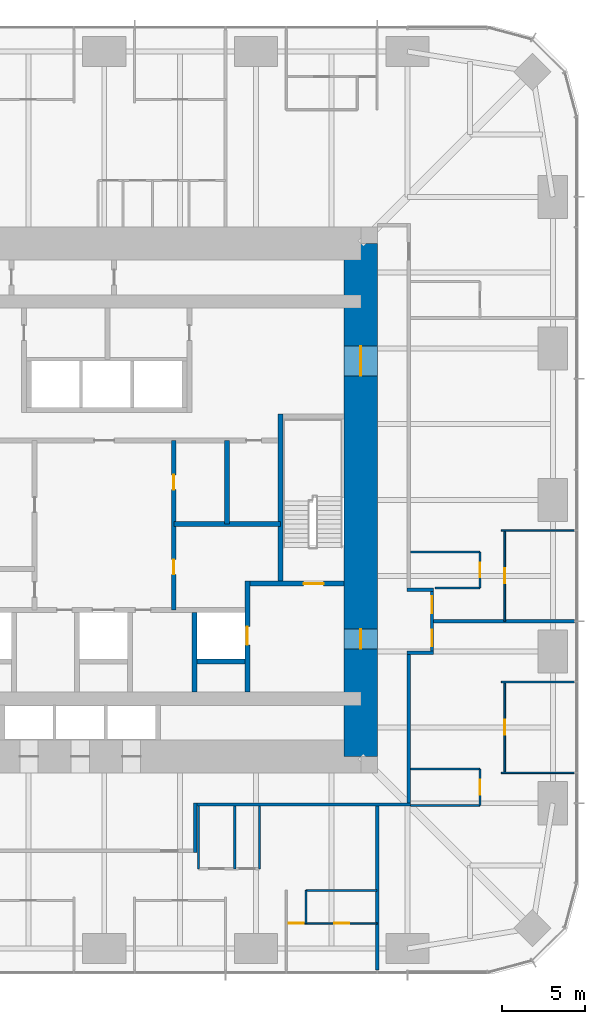
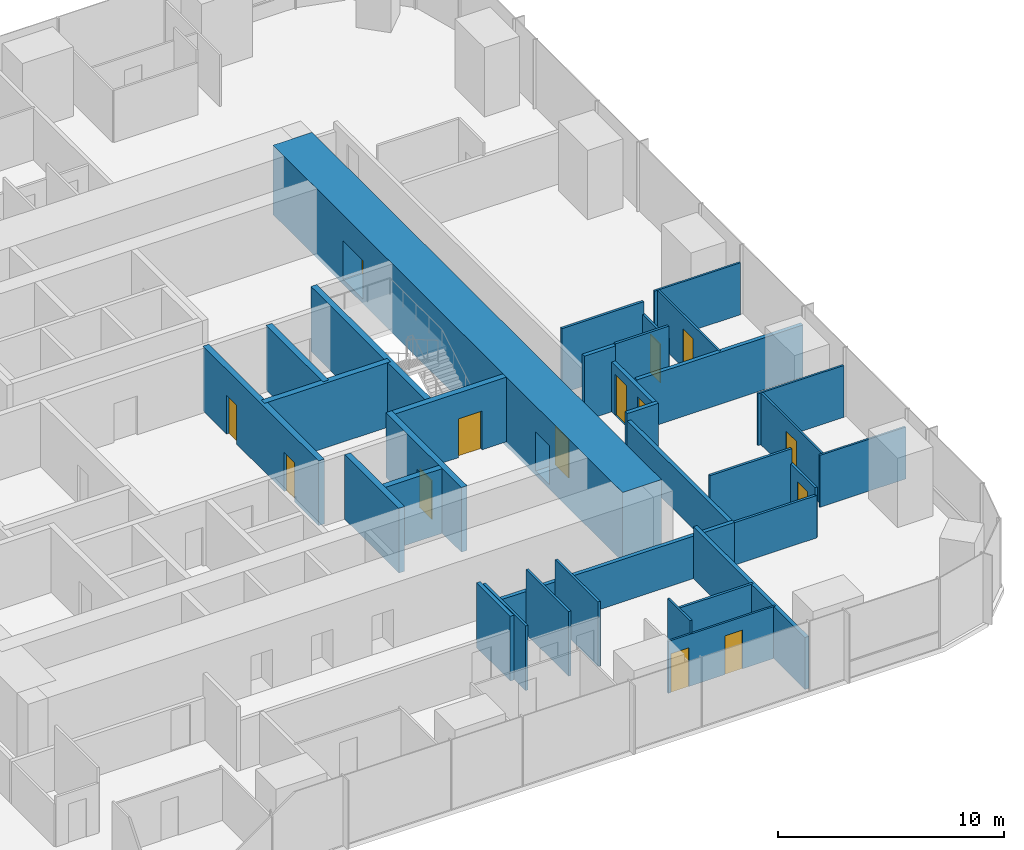
# One storey, part 10 of 13: 34 walls, 14 doors, 14 openings.
"""IFC4 building model written with IfcOpenShell, lengths in metres."""

from ifc_helpers import new_model, si_unit, direction, frame, frame_2d, origin, place, context, subcontext, project, spatial, rectangle, extrude, material, layer, layer_set, type_object, element, fill, save


model = new_model("IFC4")

# Units and contexts
model_context = context("Model", 3, precision=1e-05, world=origin(), true_north=direction((0.0, 1.0)))
body_context = subcontext(model_context, "Body", "Model", "MODEL_VIEW")
ifc_project = project(units=[si_unit("LENGTHUNIT", "METRE"), si_unit("AREAUNIT", "SQUARE_METRE"), si_unit("VOLUMEUNIT", "CUBIC_METRE"), si_unit("PLANEANGLEUNIT", "RADIAN"), si_unit("MASSUNIT", "GRAM", prefix="KILO")], contexts=[model_context])

# Site, building, storey
site_placement = place(None, origin())
site = spatial("IfcSite", under=ifc_project, at=site_placement, CompositionType="ELEMENT")
building_placement = place(site_placement, origin())
building = spatial("IfcBuilding", under=site, at=building_placement, Name="Khuree Lantern Residences", CompositionType="ELEMENT")
storey_placement = place(building_placement, frame((0.0, 0.0, 152.25)))
storey = spatial("IfcBuildingStorey", under=building, at=storey_placement, Name="L38", CompositionType="ELEMENT", Elevation=152.25)

# Wall, opening, door
ifc_material_1 = material(Name="Moisture-resistant gypsum board on steel studs", Category="steel")
ifc_layer_1 = layer(ifc_material_1, 0.125)
ifc_layer_set_1 = layer_set([ifc_layer_1], Name="BATHROOM WALL BTW125")
wall_type_1 = type_object("IfcWallType", Name="BATHROOM WALL BTW125", PredefinedType="PARTITIONING", material=ifc_layer_set_1)
wall_1_placement = place(storey_placement, frame((22.699951171875, -5.327880859375, 0.0), z_axis=(0.0, 0.0, 1.0), x_axis=(0.0, 1.0, 0.0)))
wall_1 = element("IfcWall", 1, at=wall_1_placement, inside=storey, type_object=wall_type_1, Name="L38 BATHROOM WALL 01", PredefinedType="PARTITIONING", context=body_context, shape_type="SweptSolid", body=[
    extrude(rectangle(XDim=2.199951171875, YDim=0.125, at=frame_2d((1.10009765625, 0.0))), origin(), (0.0, 0.0, 1.0), 2.81005859375),
])
opening_1_placement = place(wall_1_placement, frame((0.64990234375, 0.0, 0.0)))
opening_1 = element("IfcOpeningElement", 2, at=opening_1_placement, cuts=wall_1, Name="Opening 38-027", PredefinedType="OPENING", context=body_context, shape_type="SweptSolid", body=[
    extrude(rectangle(XDim=0.89990234375, YDim=2.10009765625, at=frame_2d((0.449951171875, 1.050048828125))), frame((0.0, 0.072509765625, 0.0), z_axis=(0.0, -1.0, 0.0), x_axis=(1.0, 0.0, 0.0)), (0.0, 0.0, 1.0), 0.14501953125),
])
ifc_material_2 = material(Name="Timber door leaf in hardwood frame", Category="wood")
door_type_1 = type_object("IfcDoorType", Name="BATHROOM DOOR 900X2100", OperationType="SINGLE_SWING_LEFT", PredefinedType="DOOR", material=ifc_material_2)
door_1_placement = place(opening_1_placement, origin())
door_1 = element("IfcDoor", 3, at=door_1_placement, inside=storey, type_object=door_type_1, Name="Bathroom door 38-027", OperationType="SINGLE_SWING_LEFT", OverallHeight=2.10009765625, OverallWidth=0.89990234375, PredefinedType="DOOR", context=body_context, shape_type="SweptSolid", body=[
    extrude(rectangle(XDim=0.89990234375, YDim=2.10009765625, at=frame_2d((0.449951171875, 1.050048828125))), frame((0.0, 0.02490234375, 0.0), z_axis=(0.0, -1.0, 0.0), x_axis=(1.0, 0.0, 0.0)), (0.0, 0.0, 1.0), 0.050048828125),
])
fill(opening_1, door_1)

# Walls
wall_2_placement = place(storey_placement, frame((19.969970703125, -5.327880859375, 0.0), z_axis=(0.0, 0.0, 1.0), x_axis=(1.0, 0.0, 0.0)))
element("IfcWall", 4, at=wall_2_placement, inside=storey, type_object=wall_type_1, Name="L38 BATHROOM WALL 01", PredefinedType="PARTITIONING", context=body_context, shape_type="SweptSolid", body=[
    extrude(rectangle(XDim=2.72998046875, YDim=0.125, at=frame_2d((1.364990234375, 0.0))), origin(), (0.0, 0.0, 1.0), 3.5),
])
wall_3_placement = place(storey_placement, frame((18.5, -3.1279296875, 0.0), z_axis=(0.0, 0.0, 1.0), x_axis=(1.0, 0.0, 0.0)))
element("IfcWall", 5, at=wall_3_placement, inside=storey, type_object=wall_type_1, Name="L38 BATHROOM WALL 01", PredefinedType="PARTITIONING", context=body_context, shape_type="SweptSolid", body=[
    extrude(rectangle(XDim=4.199951171875, YDim=0.125, at=frame_2d((2.10009765625, 0.0))), origin(), (0.0, 0.0, 1.0), 3.5),
])
wall_4_placement = place(storey_placement, frame((12.19189453125, -23.579833984375, 0.0), z_axis=(0.0, 0.0, 1.0), x_axis=(1.0, 0.0, 0.0)))
element("IfcWall", 6, at=wall_4_placement, inside=storey, type_object=wall_type_1, Name="L38 BATHROOM WALL 06", PredefinedType="PARTITIONING", context=body_context, shape_type="SweptSolid", body=[
    extrude(rectangle(XDim=4.296142578125, YDim=0.125, at=frame_2d((2.14794921875, 0.0))), origin(), (0.0, 0.0, 1.0), 2.81005859375),
])
for number, where, z_axis, x_axis, name in (
    (7, (5.68359375, -18.5, 0.0), (0.0, 0.0, 1.0), (0.0, -1.0, 0.0), "L38 BATHROOM WALL 06"),
    (8, (7.883544921875, -18.5, 0.0), (0.0, 0.0, 1.0), (0.0, -1.0, 0.0), "L38 BATHROOM WALL 06"),
    (9, (9.383544921875, -18.5, 0.0), (0.0, 0.0, 1.0), (0.0, -1.0, 0.0), "L38 BATHROOM WALL 06"),
):
    element("IfcWall", number, at=place(storey_placement, frame(where, z_axis=z_axis, x_axis=x_axis)), inside=storey, type_object=wall_type_1, Name=name, PredefinedType="PARTITIONING", context=body_context, shape_type="SweptSolid", body=[
        extrude(rectangle(XDim=3.77978515625, YDim=0.125, at=frame_2d((1.889892578125, 0.0))), origin(), (0.0, 0.0, 1.0), 3.5),
    ])

# Wall, opening, door
wall_5_placement = place(storey_placement, frame((22.699951171875, -18.449951171875, 0.0), z_axis=(0.0, 0.0, 1.0), x_axis=(0.0, 1.0, 0.0)))
wall_5 = element("IfcWall", 10, at=wall_5_placement, inside=storey, type_object=wall_type_1, Name="L38 BATHROOM WALL 07", PredefinedType="PARTITIONING", context=body_context, shape_type="SweptSolid", body=[
    extrude(rectangle(XDim=2.199951171875, YDim=0.125, at=frame_2d((1.10009765625, 0.0))), origin(), (0.0, 0.0, 1.0), 2.699951171875),
])
opening_2_placement = place(wall_5_placement, frame((0.64990234375, 0.0, 0.0)))
opening_2 = element("IfcOpeningElement", 11, at=opening_2_placement, cuts=wall_5, Name="Opening 38-063", PredefinedType="OPENING", context=body_context, shape_type="SweptSolid", body=[
    extrude(rectangle(XDim=0.89990234375, YDim=2.10009765625, at=frame_2d((0.449951171875, 1.050048828125))), frame((0.0, 0.072509765625, 0.0), z_axis=(0.0, -1.0, 0.0), x_axis=(1.0, 0.0, 0.0)), (0.0, 0.0, 1.0), 0.14501953125),
])
door_2_placement = place(opening_2_placement, origin())
door_2 = element("IfcDoor", 12, at=door_2_placement, inside=storey, type_object=door_type_1, Name="Bathroom door 38-063", OperationType="SINGLE_SWING_LEFT", OverallHeight=2.10009765625, OverallWidth=0.89990234375, PredefinedType="DOOR", context=body_context, shape_type="SweptSolid", body=[
    extrude(rectangle(XDim=0.89990234375, YDim=2.10009765625, at=frame_2d((0.449951171875, 1.050048828125))), frame((0.0, 0.02490234375, 0.0), z_axis=(0.0, -1.0, 0.0), x_axis=(1.0, 0.0, 0.0)), (0.0, 0.0, 1.0), 0.050048828125),
])
fill(opening_2, door_2)

# Walls
wall_6_placement = place(storey_placement, frame((18.5, -18.449951171875, 0.0), z_axis=(0.0, 0.0, 1.0), x_axis=(1.0, 0.0, 0.0)))
element("IfcWall", 13, at=wall_6_placement, inside=storey, type_object=wall_type_1, Name="L38 BATHROOM WALL 07", PredefinedType="PARTITIONING", context=body_context, shape_type="SweptSolid", body=[
    extrude(rectangle(XDim=4.199951171875, YDim=0.125, at=frame_2d((2.10009765625, 0.0))), origin(), (0.0, 0.0, 1.0), 2.300048828125),
])
wall_7_placement = place(storey_placement, frame((18.5, -16.25, 0.0), z_axis=(0.0, 0.0, 1.0), x_axis=(1.0, 0.0, 0.0)))
element("IfcWall", 14, at=wall_7_placement, inside=storey, type_object=wall_type_1, Name="L38 BATHROOM WALL 07", PredefinedType="PARTITIONING", context=body_context, shape_type="SweptSolid", body=[
    extrude(rectangle(XDim=4.199951171875, YDim=0.125, at=frame_2d((2.10009765625, 0.0))), origin(), (0.0, 0.0, 1.0), 3.5),
])

# Wall, opening, door
ifc_material_3 = material(Name="Dense concrete blockwork", Category="masonry")
ifc_layer_2 = layer(ifc_material_3, 0.300048828125)
ifc_layer_set_2 = layer_set([ifc_layer_2], Name="CORE PARTITION WALL CPW300 EI 120")
wall_type_2 = type_object("IfcWallType", Name="CORE PARTITION WALL CPW300 EI 120", PredefinedType="PARTITIONING", material=ifc_layer_set_2)
wall_8_placement = place(storey_placement, frame((8.64990234375, -11.60009765625, 0.0), z_axis=(0.0, 0.0, 1.0), x_axis=(0.0, 1.0, 0.0)))
wall_8 = element("IfcWall", 15, at=wall_8_placement, inside=storey, type_object=wall_type_2, Name="L38 CORE WALL FL2E", PredefinedType="PARTITIONING", context=body_context, shape_type="SweptSolid", body=[
    extrude(rectangle(XDim=6.7001953125, YDim=0.300048828125, at=frame_2d((3.35009765625, 0.0))), origin(), (0.0, 0.0, 1.0), 3.5),
])
opening_3_placement = place(wall_8_placement, frame((2.85009765625, 0.0, 0.0)))
opening_3 = element("IfcOpeningElement", 16, at=opening_3_placement, cuts=wall_8, Name="Opening 38-008", PredefinedType="OPENING", context=body_context, shape_type="SweptSolid", body=[
    extrude(rectangle(XDim=1.10009765625, YDim=2.10009765625, at=frame_2d((0.550048828125, 1.050048828125))), frame((0.0, 0.16015625, 0.0), z_axis=(0.0, -1.0, 0.0), x_axis=(1.0, 0.0, 0.0)), (0.0, 0.0, 1.0), 0.320068359375),
])
ifc_material_4 = material(Name="Stainless steel lift landing door", Category="steel")
door_type_2 = type_object("IfcDoorType", Name="LIFT LANDING DOOR 1100X2100 E 120", OperationType="DOUBLE_DOOR_SLIDING", PredefinedType="DOOR", material=ifc_material_4)
door_3_placement = place(opening_3_placement, origin())
door_3 = element("IfcDoor", 17, at=door_3_placement, inside=storey, type_object=door_type_2, Name="Landing door FL2 38-008", OperationType="DOUBLE_DOOR_SLIDING", OverallHeight=2.10009765625, OverallWidth=1.10009765625, PredefinedType="DOOR", context=body_context, shape_type="SweptSolid", body=[
    extrude(rectangle(XDim=1.10009765625, YDim=2.10009765625, at=frame_2d((0.550048828125, 1.050048828125))), frame((0.0, 0.02490234375, 0.0), z_axis=(0.0, -1.0, 0.0), x_axis=(1.0, 0.0, 0.0)), (0.0, 0.0, 1.0), 0.050048828125),
])
fill(opening_3, door_3)

# Walls
wall_9_placement = place(storey_placement, frame((5.449951171875, -11.60009765625, 0.0), z_axis=(0.0, 0.0, 1.0), x_axis=(0.0, 1.0, 0.0)))
element("IfcWall", 18, at=wall_9_placement, inside=storey, type_object=wall_type_2, Name="L38 CORE WALL FL2W", PredefinedType="PARTITIONING", context=body_context, shape_type="SweptSolid", body=[
    extrude(rectangle(XDim=4.800048828125, YDim=0.300048828125, at=frame_2d((2.39990234375, 0.0))), origin(), (0.0, 0.0, 1.0), 3.5),
])
wall_10_placement = place(storey_placement, frame((5.60009765625, -9.75, 0.0), z_axis=(0.0, 0.0, 1.0), x_axis=(1.0, 0.0, 0.0)))
element("IfcWall", 19, at=wall_10_placement, inside=storey, type_object=wall_type_2, Name="L38 CORE WALL FL2S", PredefinedType="PARTITIONING", context=body_context, shape_type="SweptSolid", body=[
    extrude(rectangle(XDim=2.89990234375, YDim=0.300048828125, at=frame_2d((1.449951171875, 0.0))), origin(), (0.0, 0.0, 1.0), 3.5),
])

# Wall, openings, doors
wall_11_placement = place(storey_placement, frame((4.199951171875, -6.64990234375, 0.0), z_axis=(0.0, 0.0, 1.0), x_axis=(0.0, 1.0, 0.0)))
wall_11 = element("IfcWall", 20, at=wall_11_placement, inside=storey, type_object=wall_type_2, Name="L38 CORE WALL SVE", PredefinedType="PARTITIONING", context=body_context, shape_type="SweptSolid", body=[
    extrude(rectangle(XDim=10.25, YDim=0.300048828125, at=frame_2d((5.125, 0.0))), origin(), (0.0, 0.0, 1.0), 3.5),
])
opening_4_placement = place(wall_11_placement, frame((2.14990234375, 0.0, 0.0)))
opening_4 = element("IfcOpeningElement", 21, at=opening_4_placement, cuts=wall_11, Name="Opening 38-018", PredefinedType="OPENING", context=body_context, shape_type="SweptSolid", body=[
    extrude(rectangle(XDim=0.89990234375, YDim=2.10009765625, at=frame_2d((0.449951171875, 1.050048828125))), frame((0.0, 0.16015625, 0.0), z_axis=(0.0, -1.0, 0.0), x_axis=(1.0, 0.0, 0.0)), (0.0, 0.0, 1.0), 0.320068359375),
])
opening_5_placement = place(wall_11_placement, frame((7.27490234375, 0.0, 0.0)))
opening_5 = element("IfcOpeningElement", 22, at=opening_5_placement, cuts=wall_11, Name="Opening 38-019", PredefinedType="OPENING", context=body_context, shape_type="SweptSolid", body=[
    extrude(rectangle(XDim=0.89990234375, YDim=2.10009765625, at=frame_2d((0.449951171875, 1.050048828125))), frame((0.0, 0.16015625, 0.0), z_axis=(0.0, -1.0, 0.0), x_axis=(1.0, 0.0, 0.0)), (0.0, 0.0, 1.0), 0.320068359375),
])
door_type_3 = type_object("IfcDoorType", Name="DOOR 900X2100", OperationType="SINGLE_SWING_LEFT", PredefinedType="DOOR", material=ifc_material_2)
door_4_placement = place(opening_4_placement, origin())
door_4 = element("IfcDoor", 23, at=door_4_placement, inside=storey, type_object=door_type_3, Name="Residents' store door 38-018", OperationType="SINGLE_SWING_LEFT", OverallHeight=2.10009765625, OverallWidth=0.89990234375, PredefinedType="DOOR", context=body_context, shape_type="SweptSolid", body=[
    extrude(rectangle(XDim=0.89990234375, YDim=2.10009765625, at=frame_2d((0.449951171875, 1.050048828125))), frame((0.0, 0.02490234375, 0.0), z_axis=(0.0, -1.0, 0.0), x_axis=(1.0, 0.0, 0.0)), (0.0, 0.0, 1.0), 0.050048828125),
])
fill(opening_4, door_4)
door_type_4 = type_object("IfcDoorType", Name="DOOR 900X2100 RIGHT HAND", OperationType="SINGLE_SWING_RIGHT", PredefinedType="DOOR", material=ifc_material_2)
door_5_placement = place(opening_5_placement, origin())
door_5 = element("IfcDoor", 24, at=door_5_placement, inside=storey, type_object=door_type_4, Name="Refuse holding room door 38-019", OperationType="SINGLE_SWING_RIGHT", OverallHeight=2.10009765625, OverallWidth=0.89990234375, PredefinedType="DOOR", context=body_context, shape_type="SweptSolid", body=[
    extrude(rectangle(XDim=0.89990234375, YDim=2.10009765625, at=frame_2d((0.449951171875, 1.050048828125))), frame((0.0, 0.02490234375, 0.0), z_axis=(0.0, -1.0, 0.0), x_axis=(1.0, 0.0, 0.0)), (0.0, 0.0, 1.0), 0.050048828125),
])
fill(opening_5, door_5)

# Walls
wall_12_placement = place(storey_placement, frame((10.64990234375, -1.449951171875, 0.0), z_axis=(0.0, 0.0, 1.0), x_axis=(-1.0, 0.0, 0.0)))
element("IfcWall", 25, at=wall_12_placement, inside=storey, type_object=wall_type_2, Name="L38 CORE WALL EX", PredefinedType="PARTITIONING", context=body_context, shape_type="SweptSolid", body=[
    extrude(rectangle(XDim=6.449951171875, YDim=0.300048828125, at=frame_2d((3.22509765625, 0.0))), origin(), (0.0, 0.0, 1.0), 3.5),
])
wall_13_placement = place(storey_placement, frame((7.425048828125, -1.449951171875, 0.0), z_axis=(0.0, 0.0, 1.0), x_axis=(0.0, 1.0, 0.0)))
element("IfcWall", 26, at=wall_13_placement, inside=storey, type_object=wall_type_2, Name="L38 CORE WALL EV", PredefinedType="PARTITIONING", context=body_context, shape_type="SweptSolid", body=[
    extrude(rectangle(XDim=5.050048828125, YDim=0.300048828125, at=frame_2d((2.52490234375, 0.0))), origin(), (0.0, 0.0, 1.0), 3.5),
])
ifc_material_5 = material(Name="Gypsum board on steel studs", Category="steel")
ifc_layer_3 = layer(ifc_material_5, 0.199951171875)
ifc_layer_set_3 = layer_set([ifc_layer_3], Name="CORRIDOR WALL CRW200 EI 60")
wall_type_3 = type_object("IfcWallType", Name="CORRIDOR WALL CRW200 EI 60", PredefinedType="PARTITIONING", material=ifc_layer_set_3)
wall_14_placement = place(storey_placement, frame((18.39990234375, -18.300048828125, 0.0), z_axis=(0.0, 0.0, 1.0), x_axis=(0.0, 1.0, 0.0)))
element("IfcWall", 27, at=wall_14_placement, inside=storey, type_object=wall_type_3, Name="L38 CORRIDOR WALL EAST 1", PredefinedType="PARTITIONING", context=body_context, shape_type="SweptSolid", body=[
    extrude(rectangle(XDim=8.97216796875, YDim=0.199951171875, at=frame_2d((4.486083984375, 0.0))), origin(), (0.0, 0.0, 1.0), 2.300048828125),
])
wall_15_placement = place(storey_placement, frame((18.300048828125, -9.22802734375, 0.0), z_axis=(0.0, 0.0, 1.0), x_axis=(1.0, 0.0, 0.0)))
element("IfcWall", 28, at=wall_15_placement, inside=storey, type_object=wall_type_3, Name="L38 CORRIDOR ALCOVE WALL EAST", PredefinedType="PARTITIONING", context=body_context, shape_type="SweptSolid", body=[
    extrude(rectangle(XDim=1.599853515625, YDim=0.199951171875, at=frame_2d((0.7998046875, 0.0))), origin(), (0.0, 0.0, 1.0), 2.699951171875),
])
wall_16_placement = place(storey_placement, frame((18.300048828125, -5.427978515625, 0.0), z_axis=(0.0, 0.0, 1.0), x_axis=(1.0, 0.0, 0.0)))
element("IfcWall", 29, at=wall_16_placement, inside=storey, type_object=wall_type_3, Name="L38 CORRIDOR ALCOVE WALL EAST", PredefinedType="PARTITIONING", context=body_context, shape_type="SweptSolid", body=[
    extrude(rectangle(XDim=1.599853515625, YDim=0.199951171875, at=frame_2d((0.7998046875, 0.0))), origin(), (0.0, 0.0, 1.0), 3.5),
])

# Wall, openings, doors
wall_17_placement = place(storey_placement, frame((19.800048828125, -9.1279296875, 0.0), z_axis=(0.0, 0.0, 1.0), x_axis=(0.0, 1.0, 0.0)))
wall_17 = element("IfcWall", 30, at=wall_17_placement, inside=storey, type_object=wall_type_3, Name="L38 CORRIDOR ALCOVE WALL EAST", PredefinedType="PARTITIONING", context=body_context, shape_type="SweptSolid", body=[
    extrude(rectangle(XDim=3.599853515625, YDim=0.199951171875, at=frame_2d((1.7998046875, 0.0))), origin(), (0.0, 0.0, 1.0), 2.699951171875),
])
opening_6_placement = place(wall_17_placement, frame((2.300048828125, 0.0, 0.0)))
opening_6 = element("IfcOpeningElement", 31, at=opening_6_placement, cuts=wall_17, Name="Opening 38-028", PredefinedType="OPENING", context=body_context, shape_type="SweptSolid", body=[
    extrude(rectangle(XDim=1.0, YDim=2.199951171875, at=frame_2d((0.5, 1.10009765625))), frame((0.0, 0.10986328125, 0.0), z_axis=(0.0, -1.0, 0.0), x_axis=(1.0, 0.0, 0.0)), (0.0, 0.0, 1.0), 0.219970703125),
])
opening_7_placement = place(wall_17_placement, frame((0.300048828125, 0.0, 0.0)))
opening_7 = element("IfcOpeningElement", 32, at=opening_7_placement, cuts=wall_17, Name="Opening 38-064", PredefinedType="OPENING", context=body_context, shape_type="SweptSolid", body=[
    extrude(rectangle(XDim=1.0, YDim=2.199951171875, at=frame_2d((0.5, 1.10009765625))), frame((0.0, 0.10986328125, 0.0), z_axis=(0.0, -1.0, 0.0), x_axis=(1.0, 0.0, 0.0)), (0.0, 0.0, 1.0), 0.219970703125),
])
door_type_5 = type_object("IfcDoorType", Name="APARTMENT ENTRANCE DOOR 1000X2200 EI 30S", OperationType="SINGLE_SWING_LEFT", PredefinedType="DOOR", material=ifc_material_2)
door_6_placement = place(opening_7_placement, origin())
door_6 = element("IfcDoor", 33, at=door_6_placement, inside=storey, type_object=door_type_5, Name="Apartment 07 entrance door 38-064", OperationType="SINGLE_SWING_LEFT", OverallHeight=2.199951171875, OverallWidth=1.0, PredefinedType="DOOR", context=body_context, shape_type="SweptSolid", body=[
    extrude(rectangle(XDim=1.0, YDim=2.199951171875, at=frame_2d((0.5, 1.10009765625))), frame((0.0, 0.02490234375, 0.0), z_axis=(0.0, -1.0, 0.0), x_axis=(1.0, 0.0, 0.0)), (0.0, 0.0, 1.0), 0.050048828125),
])
fill(opening_7, door_6)
door_type_6 = type_object("IfcDoorType", Name="APARTMENT ENTRANCE DOOR 1000X2200 EI 30S RIGHT HAND", OperationType="SINGLE_SWING_RIGHT", PredefinedType="DOOR", material=ifc_material_2)
door_7_placement = place(opening_6_placement, origin())
door_7 = element("IfcDoor", 34, at=door_7_placement, inside=storey, type_object=door_type_6, Name="Apartment 01 entrance door 38-028", OperationType="SINGLE_SWING_RIGHT", OverallHeight=2.199951171875, OverallWidth=1.0, PredefinedType="DOOR", context=body_context, shape_type="SweptSolid", body=[
    extrude(rectangle(XDim=1.0, YDim=2.199951171875, at=frame_2d((0.5, 1.10009765625))), frame((0.0, 0.02490234375, 0.0), z_axis=(0.0, -1.0, 0.0), x_axis=(1.0, 0.0, 0.0)), (0.0, 0.0, 1.0), 0.050048828125),
])
fill(opening_6, door_7)

# Walls
wall_18_placement = place(storey_placement, frame((18.5, -18.39990234375, 0.0), z_axis=(0.0, 0.0, 1.0), x_axis=(-1.0, 0.0, 0.0)))
element("IfcWall", 35, at=wall_18_placement, inside=storey, type_object=wall_type_3, Name="L38 CORRIDOR WALL SOUTH 1", PredefinedType="PARTITIONING", context=body_context, shape_type="SweptSolid", body=[
    extrude(rectangle(XDim=12.89990234375, YDim=0.199951171875, at=frame_2d((6.449951171875, 0.0))), origin(), (0.0, 0.0, 1.0), 2.300048828125),
])
wall_19_placement = place(storey_placement, frame((5.5, -18.300048828125, 0.0), z_axis=(0.0, 0.0, 1.0), x_axis=(0.0, -1.0, 0.0)))
element("IfcWall", 36, at=wall_19_placement, inside=storey, type_object=wall_type_3, Name="L38 LIFT LOBBY WALL", PredefinedType="PARTITIONING", context=body_context, shape_type="SweptSolid", body=[
    extrude(rectangle(XDim=3.0, YDim=0.199951171875, at=frame_2d((1.5, 0.0))), origin(), (0.0, 0.0, 1.0), 3.5),
])

# Wall, openings, doors
ifc_material_6 = material(Name="Concrete C70/85", Category="concrete")
ifc_layer_4 = layer(ifc_material_6, 2.0)
ifc_layer_set_4 = layer_set([ifc_layer_4], Name="CW2000-C70 CORE WALL C70 2000")
wall_type_4 = type_object("IfcWallType", Name="CW2000-C70 CORE WALL C70 2000", PredefinedType="SHEAR", material=ifc_layer_set_4)
wall_20_placement = place(storey_placement, frame((15.5, -15.5, -0.25), z_axis=(0.0, 0.0, 1.0), x_axis=(0.0, 1.0, 0.0)))
wall_20 = element("IfcWall", 37, at=wall_20_placement, inside=storey, type_object=wall_type_4, Name="Core wall E", PredefinedType="SHEAR", context=body_context, shape_type="SweptSolid", body=[
    extrude(rectangle(XDim=31.0, YDim=2.0, at=frame_2d((15.5, 0.0))), origin(), (0.0, 0.0, 1.0), 3.75),
])
opening_8_placement = place(wall_20_placement, frame((6.5, 0.0, 0.25)))
opening_8 = element("IfcOpeningElement", 38, at=opening_8_placement, cuts=wall_20, Name="Opening 38-005", PredefinedType="OPENING", context=body_context, shape_type="SweptSolid", body=[
    extrude(rectangle(XDim=1.199951171875, YDim=2.10009765625, at=frame_2d((0.60009765625, 1.050048828125))), frame((0.0, 1.010009765625, 0.0), z_axis=(0.0, -1.0, 0.0), x_axis=(1.0, 0.0, 0.0)), (0.0, 0.0, 1.0), 2.02001953125),
])
opening_9_placement = place(wall_20_placement, frame((23.0, 0.0, 0.25)))
opening_9 = element("IfcOpeningElement", 39, at=opening_9_placement, cuts=wall_20, Name="Opening 38-006", PredefinedType="OPENING", context=body_context, shape_type="SweptSolid", body=[
    extrude(rectangle(XDim=1.800048828125, YDim=2.10009765625, at=frame_2d((0.89990234375, 1.050048828125))), frame((0.0, 1.010009765625, 0.0), z_axis=(0.0, -1.0, 0.0), x_axis=(1.0, 0.0, 0.0)), (0.0, 0.0, 1.0), 2.02001953125),
])
ifc_material_7 = material(Name="Steel door leaf in steel frame", Category="steel")
door_type_7 = type_object("IfcDoorType", Name="LOBBY DOOR 1200X2100 EI 120", OperationType="SINGLE_SWING_LEFT", PredefinedType="DOOR", material=ifc_material_7)
door_8_placement = place(opening_8_placement, origin())
door_8 = element("IfcDoor", 40, at=door_8_placement, inside=storey, type_object=door_type_7, Name="Firefighting lobby door 38-005", OperationType="SINGLE_SWING_LEFT", OverallHeight=2.10009765625, OverallWidth=1.199951171875, PredefinedType="DOOR", context=body_context, shape_type="SweptSolid", body=[
    extrude(rectangle(XDim=1.199951171875, YDim=2.10009765625, at=frame_2d((0.60009765625, 1.050048828125))), frame((0.0, 0.02490234375, 0.0), z_axis=(0.0, -1.0, 0.0), x_axis=(1.0, 0.0, 0.0)), (0.0, 0.0, 1.0), 0.050048828125),
])
fill(opening_8, door_8)
door_type_8 = type_object("IfcDoorType", Name="LOBBY DOUBLE DOOR 1800X2100 EI 60", OperationType="DOUBLE_DOOR_SINGLE_SWING", PredefinedType="DOOR", material=ifc_material_7)
door_9_placement = place(opening_9_placement, origin())
door_9 = element("IfcDoor", 41, at=door_9_placement, inside=storey, type_object=door_type_8, Name="Lift lobby door 38-006", OperationType="DOUBLE_DOOR_SINGLE_SWING", OverallHeight=2.10009765625, OverallWidth=1.800048828125, PredefinedType="DOOR", context=body_context, shape_type="SweptSolid", body=[
    extrude(rectangle(XDim=1.800048828125, YDim=2.10009765625, at=frame_2d((0.89990234375, 1.050048828125))), frame((0.0, 0.02490234375, 0.0), z_axis=(0.0, -1.0, 0.0), x_axis=(1.0, 0.0, 0.0)), (0.0, 0.0, 1.0), 0.050048828125),
])
fill(opening_9, door_9)

# Walls
ifc_layer_5 = layer(ifc_material_5, 0.199951171875)
ifc_layer_set_5 = layer_set([ifc_layer_5], Name="DEMISING WALL DMW200 EI 90")
wall_type_5 = type_object("IfcWallType", Name="DEMISING WALL DMW200 EI 90", PredefinedType="PARTITIONING", material=ifc_layer_set_5)
wall_21_placement = place(storey_placement, frame((19.89990234375, -7.327880859375, 0.0), z_axis=(0.0, 0.0, 1.0), x_axis=(1.0, 0.0, 0.0)))
element("IfcWall", 42, at=wall_21_placement, inside=storey, type_object=wall_type_5, Name="L38 DEMISING WALL 01", PredefinedType="PARTITIONING", context=body_context, shape_type="SweptSolid", body=[
    extrude(rectangle(XDim=8.5, YDim=0.199951171875, at=frame_2d((4.25, 0.0))), origin(), (0.0, 0.0, 1.0), 2.81005859375),
])
wall_22_placement = place(storey_placement, frame((16.488037109375, -18.5, 0.0), z_axis=(0.0, 0.0, 1.0), x_axis=(0.0, -1.0, 0.0)))
element("IfcWall", 43, at=wall_22_placement, inside=storey, type_object=wall_type_5, Name="L38 DEMISING WALL 07", PredefinedType="PARTITIONING", context=body_context, shape_type="SweptSolid", body=[
    extrude(rectangle(XDim=9.89990234375, YDim=0.199951171875, at=frame_2d((4.949951171875, 0.0))), origin(), (0.0, 0.0, 1.0), 2.81005859375),
])
ifc_layer_6 = layer(ifc_material_5, 0.10009765625)
ifc_layer_set_6 = layer_set([ifc_layer_6], Name="PARTITION PT100")
wall_type_6 = type_object("IfcWallType", Name="PARTITION PT100", PredefinedType="PARTITIONING", material=ifc_layer_set_6)
for number, where, z_axis, x_axis, name in (
    (44, (24.0, -1.83203125, 0.0), (0.0, 0.0, 1.0), (1.0, 0.0, 0.0), "L38 PARTITION 01"),
    (45, (24.0, -16.488037109375, 0.0), (0.0, 0.0, 1.0), (1.0, 0.0, 0.0), "L38 PARTITION 07"),
    (46, (24.0, -10.991943359375, 0.0), (0.0, 0.0, 1.0), (1.0, 0.0, 0.0), "L38 PARTITION 07"),
):
    element("IfcWall", number, at=place(storey_placement, frame(where, z_axis=z_axis, x_axis=x_axis)), inside=storey, type_object=wall_type_6, Name=name, PredefinedType="PARTITIONING", context=body_context, shape_type="SweptSolid", body=[
        extrude(rectangle(XDim=4.39990234375, YDim=0.10009765625, at=frame_2d((2.199951171875, 0.0))), origin(), (0.0, 0.0, 1.0), 2.81005859375),
    ])

# Wall, opening, door
wall_23_placement = place(storey_placement, frame((24.199951171875, -7.327880859375, 0.0), z_axis=(0.0, 0.0, 1.0), x_axis=(0.0, 1.0, 0.0)))
wall_23 = element("IfcWall", 47, at=wall_23_placement, inside=storey, type_object=wall_type_6, Name="L38 PARTITION 01", PredefinedType="PARTITIONING", context=body_context, shape_type="SweptSolid", body=[
    extrude(rectangle(XDim=5.495849609375, YDim=0.10009765625, at=frame_2d((2.748046875, 0.0))), origin(), (0.0, 0.0, 1.0), 2.81005859375),
])
opening_10_placement = place(wall_23_placement, frame((2.298095703125, 0.0, 0.0)))
opening_10 = element("IfcOpeningElement", 48, at=opening_10_placement, cuts=wall_23, Name="Opening 38-026", PredefinedType="OPENING", context=body_context, shape_type="SweptSolid", body=[
    extrude(rectangle(XDim=0.89990234375, YDim=2.10009765625, at=frame_2d((0.449951171875, 1.050048828125))), frame((0.0, 0.06005859375, 0.0), z_axis=(0.0, -1.0, 0.0), x_axis=(1.0, 0.0, 0.0)), (0.0, 0.0, 1.0), 0.1201171875),
])
door_type_9 = type_object("IfcDoorType", Name="BEDROOM DOOR 900X2100", OperationType="SINGLE_SWING_LEFT", PredefinedType="DOOR", material=ifc_material_2)
door_10_placement = place(opening_10_placement, origin())
door_10 = element("IfcDoor", 49, at=door_10_placement, inside=storey, type_object=door_type_9, Name="Bedroom door 38-026", OperationType="SINGLE_SWING_LEFT", OverallHeight=2.10009765625, OverallWidth=0.89990234375, PredefinedType="DOOR", context=body_context, shape_type="SweptSolid", body=[
    extrude(rectangle(XDim=0.89990234375, YDim=2.10009765625, at=frame_2d((0.449951171875, 1.050048828125))), frame((0.0, 0.02490234375, 0.0), z_axis=(0.0, -1.0, 0.0), x_axis=(1.0, 0.0, 0.0)), (0.0, 0.0, 1.0), 0.050048828125),
])
fill(opening_10, door_10)

# Wall, openings, doors
wall_24_placement = place(storey_placement, frame((10.991943359375, -25.579833984375, 0.0), z_axis=(0.0, 0.0, 1.0), x_axis=(1.0, 0.0, 0.0)))
wall_24 = element("IfcWall", 50, at=wall_24_placement, inside=storey, type_object=wall_type_6, Name="L38 PARTITION 06", PredefinedType="PARTITIONING", context=body_context, shape_type="SweptSolid", body=[
    extrude(rectangle(XDim=5.49609375, YDim=0.10009765625, at=frame_2d((2.748046875, 0.0))), origin(), (0.0, 0.0, 1.0), 2.81005859375),
])
opening_11_placement = place(wall_24_placement, frame((0.14990234375, 0.0, 0.0)))
opening_11 = element("IfcOpeningElement", 51, at=opening_11_placement, cuts=wall_24, Name="Opening 38-057", PredefinedType="OPENING", context=body_context, shape_type="SweptSolid", body=[
    extrude(rectangle(XDim=0.89990234375, YDim=2.10009765625, at=frame_2d((0.449951171875, 1.050048828125))), frame((0.0, 0.06005859375, 0.0), z_axis=(0.0, -1.0, 0.0), x_axis=(1.0, 0.0, 0.0)), (0.0, 0.0, 1.0), 0.1201171875),
])
opening_12_placement = place(wall_24_placement, frame((2.89794921875, 0.0, 0.0)))
opening_12 = element("IfcOpeningElement", 52, at=opening_12_placement, cuts=wall_24, Name="Opening 38-058", PredefinedType="OPENING", context=body_context, shape_type="SweptSolid", body=[
    extrude(rectangle(XDim=0.89990234375, YDim=2.10009765625, at=frame_2d((0.449951171875, 1.050048828125))), frame((0.0, 0.06005859375, 0.0), z_axis=(0.0, -1.0, 0.0), x_axis=(1.0, 0.0, 0.0)), (0.0, 0.0, 1.0), 0.1201171875),
])
door_type_10 = type_object("IfcDoorType", Name="BATHROOM DOOR 900X2100 RIGHT HAND", OperationType="SINGLE_SWING_RIGHT", PredefinedType="DOOR", material=ifc_material_2)
door_11_placement = place(opening_12_placement, origin())
door_11 = element("IfcDoor", 53, at=door_11_placement, inside=storey, type_object=door_type_10, Name="Bathroom door 38-058", OperationType="SINGLE_SWING_RIGHT", OverallHeight=2.10009765625, OverallWidth=0.89990234375, PredefinedType="DOOR", context=body_context, shape_type="SweptSolid", body=[
    extrude(rectangle(XDim=0.89990234375, YDim=2.10009765625, at=frame_2d((0.449951171875, 1.050048828125))), frame((0.0, 0.02490234375, 0.0), z_axis=(0.0, -1.0, 0.0), x_axis=(1.0, 0.0, 0.0)), (0.0, 0.0, 1.0), 0.050048828125),
])
fill(opening_12, door_11)
door_12_placement = place(opening_11_placement, origin())
door_12 = element("IfcDoor", 54, at=door_12_placement, inside=storey, type_object=door_type_9, Name="Bedroom door 38-057", OperationType="SINGLE_SWING_LEFT", OverallHeight=2.10009765625, OverallWidth=0.89990234375, PredefinedType="DOOR", context=body_context, shape_type="SweptSolid", body=[
    extrude(rectangle(XDim=0.89990234375, YDim=2.10009765625, at=frame_2d((0.449951171875, 1.050048828125))), frame((0.0, 0.02490234375, 0.0), z_axis=(0.0, -1.0, 0.0), x_axis=(1.0, 0.0, 0.0)), (0.0, 0.0, 1.0), 0.050048828125),
])
fill(opening_11, door_12)

# Wall
wall_25_placement = place(storey_placement, frame((12.19189453125, -23.579833984375, 0.0), z_axis=(0.0, 0.0, 1.0), x_axis=(0.0, -1.0, 0.0)))
element("IfcWall", 55, at=wall_25_placement, inside=storey, type_object=wall_type_6, Name="L38 PARTITION 06", PredefinedType="PARTITIONING", context=body_context, shape_type="SweptSolid", body=[
    extrude(rectangle(XDim=2.0, YDim=0.10009765625, at=frame_2d((1.0, 0.0))), origin(), (0.0, 0.0, 1.0), 3.5),
])

# Wall, opening, door
wall_26_placement = place(storey_placement, frame((24.199951171875, -16.488037109375, 0.0), z_axis=(0.0, 0.0, 1.0), x_axis=(0.0, 1.0, 0.0)))
wall_26 = element("IfcWall", 56, at=wall_26_placement, inside=storey, type_object=wall_type_6, Name="L38 PARTITION 07", PredefinedType="PARTITIONING", context=body_context, shape_type="SweptSolid", body=[
    extrude(rectangle(XDim=5.49609375, YDim=0.10009765625, at=frame_2d((2.748046875, 0.0))), origin(), (0.0, 0.0, 1.0), 2.81005859375),
])
opening_13_placement = place(wall_26_placement, frame((2.298095703125, 0.0, 0.0)))
opening_13 = element("IfcOpeningElement", 57, at=opening_13_placement, cuts=wall_26, Name="Opening 38-062", PredefinedType="OPENING", context=body_context, shape_type="SweptSolid", body=[
    extrude(rectangle(XDim=0.89990234375, YDim=2.10009765625, at=frame_2d((0.449951171875, 1.050048828125))), frame((0.0, 0.06005859375, 0.0), z_axis=(0.0, -1.0, 0.0), x_axis=(1.0, 0.0, 0.0)), (0.0, 0.0, 1.0), 0.1201171875),
])
door_13_placement = place(opening_13_placement, origin())
door_13 = element("IfcDoor", 58, at=door_13_placement, inside=storey, type_object=door_type_9, Name="Bedroom door 38-062", OperationType="SINGLE_SWING_LEFT", OverallHeight=2.10009765625, OverallWidth=0.89990234375, PredefinedType="DOOR", context=body_context, shape_type="SweptSolid", body=[
    extrude(rectangle(XDim=0.89990234375, YDim=2.10009765625, at=frame_2d((0.449951171875, 1.050048828125))), frame((0.0, 0.02490234375, 0.0), z_axis=(0.0, -1.0, 0.0), x_axis=(1.0, 0.0, 0.0)), (0.0, 0.0, 1.0), 0.050048828125),
])
fill(opening_13, door_13)

# Wall
ifc_material_8 = material(Name="Concrete C50/60", Category="concrete")
ifc_layer_7 = layer(ifc_material_8, 0.300048828125)
ifc_layer_set_7 = layer_set([ifc_layer_7], Name="STAIR WALL SRW300 C50/60 REI 240")
wall_type_7 = type_object("IfcWallType", Name="STAIR WALL SRW300 C50/60 REI 240", PredefinedType="SOLIDWALL", material=ifc_layer_set_7)
wall_27_placement = place(storey_placement, frame((10.64990234375, -4.89990234375, 0.0), z_axis=(0.0, 0.0, 1.0), x_axis=(0.0, 1.0, 0.0)))
element("IfcWall", 59, at=wall_27_placement, inside=storey, type_object=wall_type_7, Name="L38 STAIR WALL ST2E", PredefinedType="SOLIDWALL", context=body_context, shape_type="SweptSolid", body=[
    extrude(rectangle(XDim=10.099853515625, YDim=0.300048828125, at=frame_2d((5.0498046875, 0.0))), origin(), (0.0, 0.0, 1.0), 3.5),
])

# Wall, opening, door
wall_28_placement = place(storey_placement, frame((14.5, -5.050048828125, 0.0), z_axis=(0.0, 0.0, 1.0), x_axis=(-1.0, 0.0, 0.0)))
wall_28 = element("IfcWall", 60, at=wall_28_placement, inside=storey, type_object=wall_type_7, Name="L38 STAIR WALL ST2S", PredefinedType="SOLIDWALL", context=body_context, shape_type="SweptSolid", body=[
    extrude(rectangle(XDim=5.699951171875, YDim=0.300048828125, at=frame_2d((2.85009765625, 0.0))), origin(), (0.0, 0.0, 1.0), 3.5),
])
opening_14_placement = place(wall_28_placement, frame((1.25, 0.0, 0.0)))
opening_14 = element("IfcOpeningElement", 61, at=opening_14_placement, cuts=wall_28, Name="Opening 38-004", PredefinedType="OPENING", context=body_context, shape_type="SweptSolid", body=[
    extrude(rectangle(XDim=1.199951171875, YDim=2.10009765625, at=frame_2d((0.60009765625, 1.050048828125))), frame((0.0, 0.16015625, 0.0), z_axis=(0.0, -1.0, 0.0), x_axis=(1.0, 0.0, 0.0)), (0.0, 0.0, 1.0), 0.320068359375),
])
door_type_11 = type_object("IfcDoorType", Name="STAIR DOOR 1200X2100 EI 120", OperationType="SINGLE_SWING_LEFT", PredefinedType="DOOR", material=ifc_material_7)
door_14_placement = place(opening_14_placement, origin())
door_14 = element("IfcDoor", 62, at=door_14_placement, inside=storey, type_object=door_type_11, Name="Stair ST2 door 38-004", OperationType="SINGLE_SWING_LEFT", OverallHeight=2.10009765625, OverallWidth=1.199951171875, PredefinedType="DOOR", context=body_context, shape_type="SweptSolid", body=[
    extrude(rectangle(XDim=1.199951171875, YDim=2.10009765625, at=frame_2d((0.60009765625, 1.050048828125))), frame((0.0, 0.02490234375, 0.0), z_axis=(0.0, -1.0, 0.0), x_axis=(1.0, 0.0, 0.0)), (0.0, 0.0, 1.0), 0.050048828125),
])
fill(opening_14, door_14)

save(model, "model.ifc")
